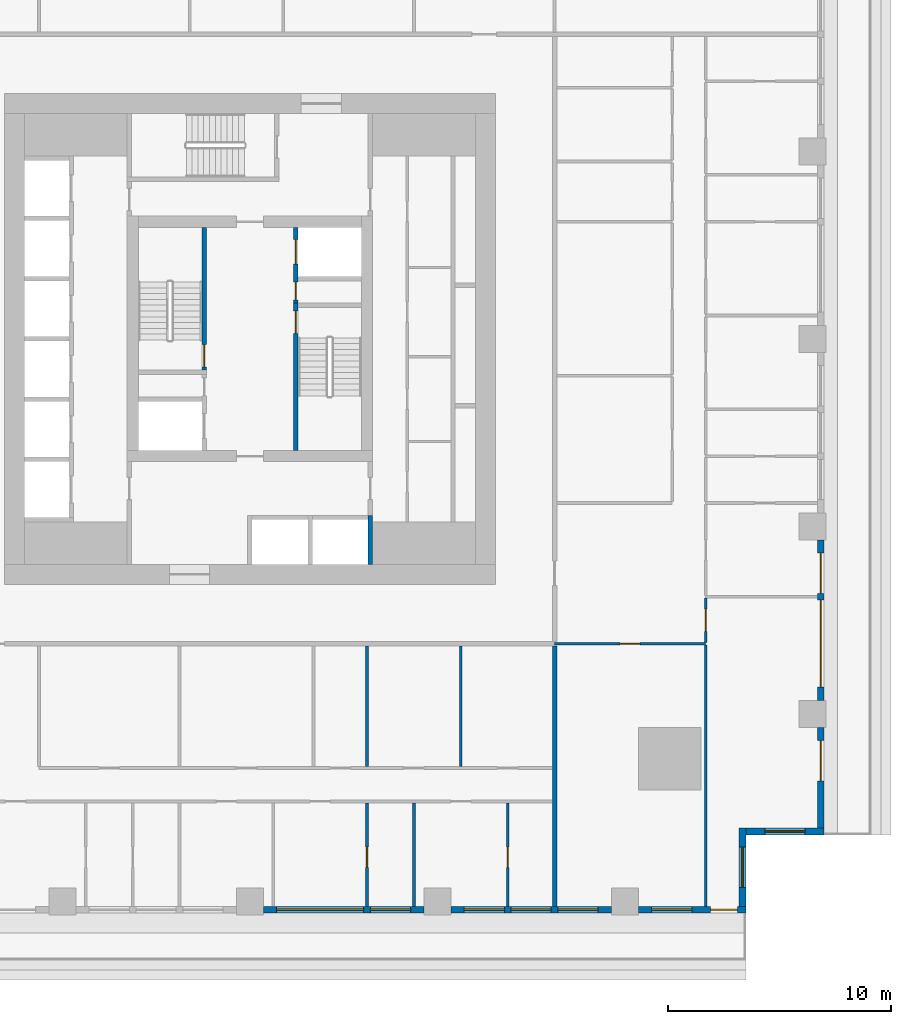
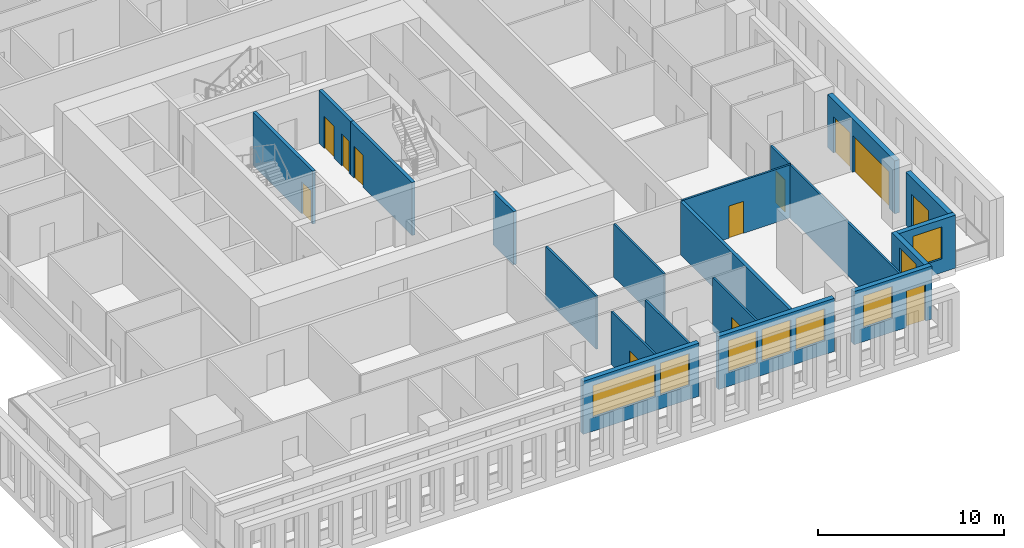
# One storey, part 4 of 14: 20 walls, 12 doors, 8 windows, 20 openings.
"""IFC4 building model written with IfcOpenShell, lengths in metres."""

from ifc_helpers import new_model, si_unit, direction, frame, frame_2d, origin, place, context, subcontext, project, spatial, rectangle, extrude, material, layer, layer_set, type_object, element, fill, save


model = new_model("IFC4")

# Units and contexts
model_context = context("Model", 3, precision=1e-05, world=origin(), true_north=direction((0.0, 1.0)))
body_context = subcontext(model_context, "Body", "Model", "MODEL_VIEW")
ifc_project = project(units=[si_unit("LENGTHUNIT", "METRE"), si_unit("AREAUNIT", "SQUARE_METRE"), si_unit("VOLUMEUNIT", "CUBIC_METRE"), si_unit("PLANEANGLEUNIT", "RADIAN"), si_unit("MASSUNIT", "GRAM", prefix="KILO")], contexts=[model_context])

# Site, building, storey
site_placement = place(None, origin())
site = spatial("IfcSite", under=ifc_project, at=site_placement, CompositionType="ELEMENT")
building_placement = place(site_placement, origin())
building = spatial("IfcBuilding", under=site, at=building_placement, Name="Khepri Terraces", CompositionType="ELEMENT")
storey_placement = place(building_placement, frame((0.0, 0.0, 110.39990234375)))
storey = spatial("IfcBuildingStorey", under=building, at=storey_placement, Name="L26", CompositionType="ELEMENT", Elevation=110.39990234375)

# Wall, opening, door
ifc_material_1 = material(Name="Concrete C70/85", Category="concrete")
ifc_layer_1 = layer(ifc_material_1, 0.199951171875, Name="Concrete C70/85", Category="concrete")
ifc_layer_set_1 = layer_set([ifc_layer_1], Name="Concrete C70/85")
wall_type_1 = type_object("IfcWallType", Name="Core wall 200 C70/85", PredefinedType="SHEAR", material=ifc_layer_set_1)
wall_1_placement = place(storey_placement, frame((2.050048828125, -5.0, 0.0), z_axis=(0.0, 0.0, 1.0), x_axis=(0.0, 1.0, 0.0)))
wall_1 = element("IfcWall", 1, at=wall_1_placement, inside=storey, type_object=wall_type_1, Name="Core wall ST01 L26", PredefinedType="SHEAR", context=body_context, shape_type="SweptSolid", body=[
    extrude(rectangle(XDim=6.60009765625, YDim=0.199951171875, at=frame_2d((3.300048828125, 0.0))), origin(), (0.0, 0.0, 1.0), 3.47998046875),
])
opening_1_placement = place(wall_1_placement, frame((5.25, 0.0, 0.0)))
opening_1 = element("IfcOpeningElement", 2, at=opening_1_placement, cuts=wall_1, Name="Opening L26-C10", PredefinedType="OPENING", context=body_context, shape_type="SweptSolid", body=[
    extrude(rectangle(XDim=1.0, YDim=2.10009765625, at=frame_2d((0.5, 1.050048828125))), frame((0.0, 0.10986328125, 0.0), z_axis=(0.0, -1.0, 0.0), x_axis=(1.0, 0.0, 0.0)), (0.0, 0.0, 1.0), 0.219970703125),
])
ifc_material_2 = material(Name="Painted steel", Category="steel")
door_type_1 = type_object("IfcDoorType", Name="DR-CORE-STAIR-1000", OperationType="NOTDEFINED", PredefinedType="DOOR", material=ifc_material_2)
door_1_placement = place(opening_1_placement, frame((1.0, 0.0, 0.0), z_axis=(0.0, 0.0, 1.0), x_axis=(-1.0, 0.0, 0.0)))
door_1 = element("IfcDoor", 3, at=door_1_placement, inside=storey, type_object=door_type_1, Name="Stair door L26-C10", OperationType="SINGLE_SWING_LEFT", OverallHeight=2.10009765625, OverallWidth=1.0, PredefinedType="DOOR", context=body_context, shape_type="SweptSolid", body=[
    extrude(rectangle(XDim=1.0, YDim=2.10009765625, at=frame_2d((0.5, 1.050048828125))), frame((0.0, 0.02490234375, 0.0), z_axis=(0.0, -1.0, 0.0), x_axis=(1.0, 0.0, 0.0)), (0.0, 0.0, 1.0), 0.050048828125),
])
fill(opening_1, door_1)

wall_2_placement = place(storey_placement, frame((-2.050048828125, -1.39990234375, 0.0), z_axis=(0.0, 0.0, 1.0), x_axis=(0.0, 1.0, 0.0)))
wall_2 = element("IfcWall", 4, at=wall_2_placement, inside=storey, type_object=wall_type_1, Name="Core wall ST03 L26", PredefinedType="SHEAR", context=body_context, shape_type="SweptSolid", body=[
    extrude(rectangle(XDim=6.39990234375, YDim=0.199951171875, at=frame_2d((3.199951171875, 0.0))), origin(), (0.0, 0.0, 1.0), 3.47998046875),
])
opening_2_placement = place(wall_2_placement, frame((0.14990234375, 0.0, 0.0)))
opening_2 = element("IfcOpeningElement", 5, at=opening_2_placement, cuts=wall_2, Name="Opening L26-C09", PredefinedType="OPENING", context=body_context, shape_type="SweptSolid", body=[
    extrude(rectangle(XDim=1.0, YDim=2.10009765625, at=frame_2d((0.5, 1.050048828125))), frame((0.0, 0.10986328125, 0.0), z_axis=(0.0, -1.0, 0.0), x_axis=(1.0, 0.0, 0.0)), (0.0, 0.0, 1.0), 0.219970703125),
])
door_2_placement = place(opening_2_placement, origin())
door_2 = element("IfcDoor", 6, at=door_2_placement, inside=storey, type_object=door_type_1, Name="Stair door L26-C09", OperationType="SINGLE_SWING_LEFT", OverallHeight=2.10009765625, OverallWidth=1.0, PredefinedType="DOOR", context=body_context, shape_type="SweptSolid", body=[
    extrude(rectangle(XDim=1.0, YDim=2.10009765625, at=frame_2d((0.5, 1.050048828125))), frame((0.0, 0.02490234375, 0.0), z_axis=(0.0, -1.0, 0.0), x_axis=(1.0, 0.0, 0.0)), (0.0, 0.0, 1.0), 0.050048828125),
])
fill(opening_2, door_2)

# Wall
wall_3_placement = place(storey_placement, frame((5.39990234375, -10.10009765625, 0.0), z_axis=(0.0, 0.0, 1.0), x_axis=(0.0, 1.0, 0.0)))
element("IfcWall", 7, at=wall_3_placement, inside=storey, type_object=wall_type_1, Name="Core wall SH03 L26", PredefinedType="SHEAR", context=body_context, shape_type="SweptSolid", body=[
    extrude(rectangle(XDim=2.2001953125, YDim=0.199951171875, at=frame_2d((1.10009765625, 0.0))), origin(), (0.0, 0.0, 1.0), 3.47998046875),
])

# Wall, openings, doors
wall_4_placement = place(storey_placement, frame((2.050048828125, 1.60009765625, 0.0), z_axis=(0.0, 0.0, 1.0), x_axis=(0.0, 1.0, 0.0)))
wall_4 = element("IfcWall", 8, at=wall_4_placement, inside=storey, type_object=wall_type_1, Name="Core wall SH15 L26", PredefinedType="SHEAR", context=body_context, shape_type="SweptSolid", body=[
    extrude(rectangle(XDim=3.39990234375, YDim=0.199951171875, at=frame_2d((1.699951171875, 0.0))), origin(), (0.0, 0.0, 1.0), 3.47998046875),
])
opening_3_placement = place(wall_4_placement, frame((1.75, 0.0, 0.0)))
opening_3 = element("IfcOpeningElement", 9, at=opening_3_placement, cuts=wall_4, Name="Opening L26-C07", PredefinedType="OPENING", context=body_context, shape_type="SweptSolid", body=[
    extrude(rectangle(XDim=1.10009765625, YDim=2.10009765625, at=frame_2d((0.550048828125, 1.050048828125))), frame((0.0, 0.10986328125, 0.0), z_axis=(0.0, -1.0, 0.0), x_axis=(1.0, 0.0, 0.0)), (0.0, 0.0, 1.0), 0.219970703125),
])
opening_4_placement = place(wall_4_placement, frame((0.14990234375, 0.0, 0.0)))
opening_4 = element("IfcOpeningElement", 10, at=opening_4_placement, cuts=wall_4, Name="Opening L26-C11", PredefinedType="OPENING", context=body_context, shape_type="SweptSolid", body=[
    extrude(rectangle(XDim=0.800048828125, YDim=2.10009765625, at=frame_2d((0.39990234375, 1.050048828125))), frame((0.0, 0.10986328125, 0.0), z_axis=(0.0, -1.0, 0.0), x_axis=(1.0, 0.0, 0.0)), (0.0, 0.0, 1.0), 0.219970703125),
])
ifc_material_3 = material(Name="Stainless steel 304", Category="steel")
door_type_2 = type_object("IfcDoorType", Name="DR-CORE-FF-LANDING-1100", OperationType="NOTDEFINED", PredefinedType="DOOR", material=ifc_material_3)
door_3_placement = place(opening_3_placement, origin())
door_3 = element("IfcDoor", 11, at=door_3_placement, inside=storey, type_object=door_type_2, Name="Firefighting lift landing door L26-C07", OperationType="SLIDING_TO_LEFT", OverallHeight=2.10009765625, OverallWidth=1.10009765625, PredefinedType="DOOR", context=body_context, shape_type="SweptSolid", body=[
    extrude(rectangle(XDim=1.10009765625, YDim=2.10009765625, at=frame_2d((0.550048828125, 1.050048828125))), frame((0.0, 0.02490234375, 0.0), z_axis=(0.0, -1.0, 0.0), x_axis=(1.0, 0.0, 0.0)), (0.0, 0.0, 1.0), 0.050048828125),
])
fill(opening_3, door_3)
door_type_3 = type_object("IfcDoorType", Name="DR-CORE-RISER-800", OperationType="NOTDEFINED", PredefinedType="DOOR", material=ifc_material_2)
door_4_placement = place(opening_4_placement, frame((0.800048828125, 0.0, 0.0), z_axis=(0.0, 0.0, 1.0), x_axis=(-1.0, 0.0, 0.0)))
door_4 = element("IfcDoor", 12, at=door_4_placement, inside=storey, type_object=door_type_3, Name="Riser door L26-C11", OperationType="SINGLE_SWING_RIGHT", OverallHeight=2.10009765625, OverallWidth=0.800048828125, PredefinedType="DOOR", context=body_context, shape_type="SweptSolid", body=[
    extrude(rectangle(XDim=0.800048828125, YDim=2.10009765625, at=frame_2d((0.39990234375, 1.050048828125))), frame((0.0, 0.02490234375, 0.0), z_axis=(0.0, -1.0, 0.0), x_axis=(1.0, 0.0, 0.0)), (0.0, 0.0, 1.0), 0.050048828125),
])
fill(opening_4, door_4)

# Wall
ifc_material_4 = material(Name="Fire-rated gypsum plasterboard partition, mineral wool")
ifc_layer_2 = layer(ifc_material_4, 0.199951171875, Name="Fire-rated gypsum plasterboard partition, mineral wool")
ifc_layer_set_2 = layer_set([ifc_layer_2], Name="Fire-rated gypsum plasterboard partition, mineral wool")
wall_type_2 = type_object("IfcWallType", Name="WL-CORR-200", PredefinedType="PARTITIONING", material=ifc_layer_set_2)
wall_5_placement = place(storey_placement, frame((13.64990234375, -25.419921875, 0.0), z_axis=(0.0, 0.0, 1.0), x_axis=(0.0, 1.0, 0.0)))
element("IfcWall", 13, at=wall_5_placement, inside=storey, type_object=wall_type_2, Name="Partition P-009 L26", PredefinedType="PARTITIONING", context=body_context, shape_type="SweptSolid", body=[
    extrude(rectangle(XDim=11.669921875, YDim=0.199951171875, at=frame_2d((5.8349609375, 0.0))), origin(), (0.0, 0.0, 1.0), 3.47998046875),
])

# Wall, opening, window
ifc_material_5 = material(Name="Precast concrete C50/60 warm stone", Category="masonry")
ifc_layer_3 = layer(ifc_material_5, 0.300048828125, Name="Precast concrete C50/60 warm stone", Category="masonry")
ifc_layer_set_3 = layer_set([ifc_layer_3], Name="Precast concrete C50/60 warm stone")
wall_type_3 = type_object("IfcWallType", Name="WL-EXT-PRECAST-300", PredefinedType="STANDARD", material=ifc_layer_set_3)
wall_6_placement = place(storey_placement, frame((22.219970703125, -22.070068359375, 0.0), z_axis=(0.0, 0.0, 1.0), x_axis=(1.0, 0.0, 0.0)))
wall_6 = element("IfcWall", 14, at=wall_6_placement, inside=storey, type_object=wall_type_3, Name="External wall L26 S", PredefinedType="STANDARD", context=body_context, shape_type="SweptSolid", body=[
    extrude(rectangle(XDim=3.5, YDim=0.300048828125, at=frame_2d((1.75, 0.0))), origin(), (0.0, 0.0, 1.0), 3.47998046875),
])
opening_5_placement = place(wall_6_placement, frame((0.85009765625, 0.0, 0.89990234375)))
opening_5 = element("IfcOpeningElement", 15, at=opening_5_placement, cuts=wall_6, Name="Opening W1", PredefinedType="OPENING", context=body_context, shape_type="SweptSolid", body=[
    extrude(rectangle(XDim=1.800048828125, YDim=2.10009765625, at=frame_2d((0.89990234375, 1.050048828125))), frame((0.0, 0.16015625, 0.0), z_axis=(0.0, -1.0, 0.0), x_axis=(1.0, 0.0, 0.0)), (0.0, 0.0, 1.0), 0.320068359375),
])
ifc_material_6 = material(Name="Clear glass", Category="glass")
window_type_1 = type_object("IfcWindowType", Name="WIN-RES-1800x2100", PartitioningType="SINGLE_PANEL", PredefinedType="WINDOW", material=ifc_material_6)
window_1_placement = place(opening_5_placement, origin())
window_1 = element("IfcWindow", 16, at=window_1_placement, inside=storey, type_object=window_type_1, Name="Window L26 S", OverallHeight=2.10009765625, OverallWidth=1.800048828125, PartitioningType="SINGLE_PANEL", PredefinedType="WINDOW", context=body_context, shape_type="SweptSolid", body=[
    extrude(rectangle(XDim=1.800048828125, YDim=2.10009765625, at=frame_2d((0.89990234375, 1.050048828125))), frame((0.0, 0.030029296875, 0.0), z_axis=(0.0, -1.0, 0.0), x_axis=(1.0, 0.0, 0.0)), (0.0, 0.0, 1.0), 0.06005859375),
])
fill(opening_5, window_1)

# Wall, opening, door
wall_7_placement = place(storey_placement, frame((25.570068359375, -21.919921875, 0.0), z_axis=(0.0, 0.0, 1.0), x_axis=(0.0, 1.0, 0.0)))
wall_7 = element("IfcWall", 17, at=wall_7_placement, inside=storey, type_object=wall_type_3, Name="External wall L26 E", PredefinedType="STANDARD", context=body_context, shape_type="SweptSolid", body=[
    extrude(rectangle(XDim=4.52001953125, YDim=0.300048828125, at=frame_2d((2.260009765625, 0.0))), origin(), (0.0, 0.0, 1.0), 3.47998046875),
])
opening_6_placement = place(wall_7_placement, frame((2.1201171875, 0.0, 0.0)))
opening_6 = element("IfcOpeningElement", 18, at=opening_6_placement, cuts=wall_7, Name="Opening ED-L26-01", PredefinedType="OPENING", context=body_context, shape_type="SweptSolid", body=[
    extrude(rectangle(XDim=1.800048828125, YDim=2.39990234375, at=frame_2d((0.89990234375, 1.199951171875))), frame((0.0, 0.16015625, 0.0), z_axis=(0.0, -1.0, 0.0), x_axis=(1.0, 0.0, 0.0)), (0.0, 0.0, 1.0), 0.320068359375),
])
ifc_material_7 = material(Name="Anodised aluminium bronze glazed door", Category="aluminium")
door_type_4 = type_object("IfcDoorType", Name="DR-BAL-SLIDE-1800x2400", OperationType="NOTDEFINED", PredefinedType="DOOR", material=ifc_material_7)
door_5_placement = place(opening_6_placement, origin())
door_5 = element("IfcDoor", 19, at=door_5_placement, inside=storey, type_object=door_type_4, Name="Balcony door L26 E", OperationType="SLIDING_TO_RIGHT", OverallHeight=2.39990234375, OverallWidth=1.800048828125, PredefinedType="DOOR", context=body_context, shape_type="SweptSolid", body=[
    extrude(rectangle(XDim=1.800048828125, YDim=2.39990234375, at=frame_2d((0.89990234375, 1.199951171875))), frame((0.0, 0.02490234375, 0.0), z_axis=(0.0, -1.0, 0.0), x_axis=(1.0, 0.0, 0.0)), (0.0, 0.0, 1.0), 0.050048828125),
])
fill(opening_6, door_5)

# Wall, openings, doors
wall_8_placement = place(storey_placement, frame((25.570068359375, -16.199951171875, 0.0), z_axis=(0.0, 0.0, 1.0), x_axis=(0.0, 1.0, 0.0)))
wall_8 = element("IfcWall", 20, at=wall_8_placement, inside=storey, type_object=wall_type_3, Name="External wall L26 E", PredefinedType="STANDARD", context=body_context, shape_type="SweptSolid", body=[
    extrude(rectangle(XDim=7.199951171875, YDim=0.300048828125, at=frame_2d((3.60009765625, 0.0))), origin(), (0.0, 0.0, 1.0), 3.47998046875),
])
opening_7_placement = place(wall_8_placement, frame((0.60009765625, 0.0, 0.0)))
opening_7 = element("IfcOpeningElement", 21, at=opening_7_placement, cuts=wall_8, Name="Opening ED-L26-02", PredefinedType="OPENING", context=body_context, shape_type="SweptSolid", body=[
    extrude(rectangle(XDim=3.89990234375, YDim=2.39990234375, at=frame_2d((1.949951171875, 1.199951171875))), frame((0.0, 0.16015625, 0.0), z_axis=(0.0, -1.0, 0.0), x_axis=(1.0, 0.0, 0.0)), (0.0, 0.0, 1.0), 0.320068359375),
])
opening_8_placement = place(wall_8_placement, frame((4.800048828125, 0.0, 0.0)))
opening_8 = element("IfcOpeningElement", 22, at=opening_8_placement, cuts=wall_8, Name="Opening ED-L26-03", PredefinedType="OPENING", context=body_context, shape_type="SweptSolid", body=[
    extrude(rectangle(XDim=1.800048828125, YDim=2.39990234375, at=frame_2d((0.89990234375, 1.199951171875))), frame((0.0, 0.16015625, 0.0), z_axis=(0.0, -1.0, 0.0), x_axis=(1.0, 0.0, 0.0)), (0.0, 0.0, 1.0), 0.320068359375),
])
door_6_placement = place(opening_8_placement, origin())
door_6 = element("IfcDoor", 23, at=door_6_placement, inside=storey, type_object=door_type_4, Name="Balcony door L26 E", OperationType="SLIDING_TO_RIGHT", OverallHeight=2.39990234375, OverallWidth=1.800048828125, PredefinedType="DOOR", context=body_context, shape_type="SweptSolid", body=[
    extrude(rectangle(XDim=1.800048828125, YDim=2.39990234375, at=frame_2d((0.89990234375, 1.199951171875))), frame((0.0, 0.02490234375, 0.0), z_axis=(0.0, -1.0, 0.0), x_axis=(1.0, 0.0, 0.0)), (0.0, 0.0, 1.0), 0.050048828125),
])
fill(opening_8, door_6)
door_type_5 = type_object("IfcDoorType", Name="DR-BAL-SLIDE-3900x2400", OperationType="NOTDEFINED", PredefinedType="DOOR", material=ifc_material_7)
door_7_placement = place(opening_7_placement, origin())
door_7 = element("IfcDoor", 24, at=door_7_placement, inside=storey, type_object=door_type_5, Name="Balcony door L26 E", OperationType="SLIDING_TO_LEFT", OverallHeight=2.39990234375, OverallWidth=3.89990234375, PredefinedType="DOOR", context=body_context, shape_type="SweptSolid", body=[
    extrude(rectangle(XDim=3.89990234375, YDim=2.39990234375, at=frame_2d((1.949951171875, 1.199951171875))), frame((0.0, 0.02490234375, 0.0), z_axis=(0.0, -1.0, 0.0), x_axis=(1.0, 0.0, 0.0)), (0.0, 0.0, 1.0), 0.050048828125),
])
fill(opening_7, door_7)

# Wall, openings, windows
wall_9_placement = place(storey_placement, frame((0.60009765625, -25.570068359375, 0.0), z_axis=(0.0, 0.0, 1.0), x_axis=(1.0, 0.0, 0.0)))
wall_9 = element("IfcWall", 25, at=wall_9_placement, inside=storey, type_object=wall_type_3, Name="External wall L26 S", PredefinedType="STANDARD", context=body_context, shape_type="SweptSolid", body=[
    extrude(rectangle(XDim=7.199951171875, YDim=0.300048828125, at=frame_2d((3.60009765625, 0.0))), origin(), (0.0, 0.0, 1.0), 3.47998046875),
])
opening_9_placement = place(wall_9_placement, frame((0.60009765625, 0.0, 0.89990234375)))
opening_9 = element("IfcOpeningElement", 26, at=opening_9_placement, cuts=wall_9, Name="Opening W2", PredefinedType="OPENING", context=body_context, shape_type="SweptSolid", body=[
    extrude(rectangle(XDim=3.89990234375, YDim=2.10009765625, at=frame_2d((1.949951171875, 1.050048828125))), frame((0.0, 0.16015625, 0.0), z_axis=(0.0, -1.0, 0.0), x_axis=(1.0, 0.0, 0.0)), (0.0, 0.0, 1.0), 0.320068359375),
])
opening_10_placement = place(wall_9_placement, frame((4.800048828125, 0.0, 0.89990234375)))
opening_10 = element("IfcOpeningElement", 27, at=opening_10_placement, cuts=wall_9, Name="Opening W1", PredefinedType="OPENING", context=body_context, shape_type="SweptSolid", body=[
    extrude(rectangle(XDim=1.800048828125, YDim=2.10009765625, at=frame_2d((0.89990234375, 1.050048828125))), frame((0.0, 0.16015625, 0.0), z_axis=(0.0, -1.0, 0.0), x_axis=(1.0, 0.0, 0.0)), (0.0, 0.0, 1.0), 0.320068359375),
])
window_2_placement = place(opening_10_placement, origin())
window_2 = element("IfcWindow", 28, at=window_2_placement, inside=storey, type_object=window_type_1, Name="Window L26 S", OverallHeight=2.10009765625, OverallWidth=1.800048828125, PartitioningType="SINGLE_PANEL", PredefinedType="WINDOW", context=body_context, shape_type="SweptSolid", body=[
    extrude(rectangle(XDim=1.800048828125, YDim=2.10009765625, at=frame_2d((0.89990234375, 1.050048828125))), frame((0.0, 0.030029296875, 0.0), z_axis=(0.0, -1.0, 0.0), x_axis=(1.0, 0.0, 0.0)), (0.0, 0.0, 1.0), 0.06005859375),
])
fill(opening_10, window_2)
window_type_2 = type_object("IfcWindowType", Name="WIN-RES-3900x2100", PartitioningType="SINGLE_PANEL", PredefinedType="WINDOW", material=ifc_material_6)
window_3_placement = place(opening_9_placement, origin())
window_3 = element("IfcWindow", 29, at=window_3_placement, inside=storey, type_object=window_type_2, Name="Window L26 S", OverallHeight=2.10009765625, OverallWidth=3.89990234375, PartitioningType="SINGLE_PANEL", PredefinedType="WINDOW", context=body_context, shape_type="SweptSolid", body=[
    extrude(rectangle(XDim=3.89990234375, YDim=2.10009765625, at=frame_2d((1.949951171875, 1.050048828125))), frame((0.0, 0.030029296875, 0.0), z_axis=(0.0, -1.0, 0.0), x_axis=(1.0, 0.0, 0.0)), (0.0, 0.0, 1.0), 0.06005859375),
])
fill(opening_9, window_3)

wall_10_placement = place(storey_placement, frame((9.0, -25.570068359375, 0.0), z_axis=(0.0, 0.0, 1.0), x_axis=(1.0, 0.0, 0.0)))
wall_10 = element("IfcWall", 30, at=wall_10_placement, inside=storey, type_object=wall_type_3, Name="External wall L26 S", PredefinedType="STANDARD", context=body_context, shape_type="SweptSolid", body=[
    extrude(rectangle(XDim=7.199951171875, YDim=0.300048828125, at=frame_2d((3.60009765625, 0.0))), origin(), (0.0, 0.0, 1.0), 3.47998046875),
])
opening_11_placement = place(wall_10_placement, frame((0.60009765625, 0.0, 0.89990234375)))
opening_11 = element("IfcOpeningElement", 31, at=opening_11_placement, cuts=wall_10, Name="Opening W1", PredefinedType="OPENING", context=body_context, shape_type="SweptSolid", body=[
    extrude(rectangle(XDim=1.800048828125, YDim=2.10009765625, at=frame_2d((0.89990234375, 1.050048828125))), frame((0.0, 0.16015625, 0.0), z_axis=(0.0, -1.0, 0.0), x_axis=(1.0, 0.0, 0.0)), (0.0, 0.0, 1.0), 0.320068359375),
])
opening_12_placement = place(wall_10_placement, frame((2.699951171875, 0.0, 0.89990234375)))
opening_12 = element("IfcOpeningElement", 32, at=opening_12_placement, cuts=wall_10, Name="Opening W1", PredefinedType="OPENING", context=body_context, shape_type="SweptSolid", body=[
    extrude(rectangle(XDim=1.800048828125, YDim=2.10009765625, at=frame_2d((0.89990234375, 1.050048828125))), frame((0.0, 0.16015625, 0.0), z_axis=(0.0, -1.0, 0.0), x_axis=(1.0, 0.0, 0.0)), (0.0, 0.0, 1.0), 0.320068359375),
])
opening_13_placement = place(wall_10_placement, frame((4.800048828125, 0.0, 0.89990234375)))
opening_13 = element("IfcOpeningElement", 33, at=opening_13_placement, cuts=wall_10, Name="Opening W1", PredefinedType="OPENING", context=body_context, shape_type="SweptSolid", body=[
    extrude(rectangle(XDim=1.800048828125, YDim=2.10009765625, at=frame_2d((0.89990234375, 1.050048828125))), frame((0.0, 0.16015625, 0.0), z_axis=(0.0, -1.0, 0.0), x_axis=(1.0, 0.0, 0.0)), (0.0, 0.0, 1.0), 0.320068359375),
])
window_4_placement = place(opening_11_placement, origin())
window_4 = element("IfcWindow", 34, at=window_4_placement, inside=storey, type_object=window_type_1, Name="Window L26 S", OverallHeight=2.10009765625, OverallWidth=1.800048828125, PartitioningType="SINGLE_PANEL", PredefinedType="WINDOW", context=body_context, shape_type="SweptSolid", body=[
    extrude(rectangle(XDim=1.800048828125, YDim=2.10009765625, at=frame_2d((0.89990234375, 1.050048828125))), frame((0.0, 0.030029296875, 0.0), z_axis=(0.0, -1.0, 0.0), x_axis=(1.0, 0.0, 0.0)), (0.0, 0.0, 1.0), 0.06005859375),
])
fill(opening_11, window_4)
window_5_placement = place(opening_12_placement, origin())
window_5 = element("IfcWindow", 35, at=window_5_placement, inside=storey, type_object=window_type_1, Name="Window L26 S", OverallHeight=2.10009765625, OverallWidth=1.800048828125, PartitioningType="SINGLE_PANEL", PredefinedType="WINDOW", context=body_context, shape_type="SweptSolid", body=[
    extrude(rectangle(XDim=1.800048828125, YDim=2.10009765625, at=frame_2d((0.89990234375, 1.050048828125))), frame((0.0, 0.030029296875, 0.0), z_axis=(0.0, -1.0, 0.0), x_axis=(1.0, 0.0, 0.0)), (0.0, 0.0, 1.0), 0.06005859375),
])
fill(opening_12, window_5)
window_6_placement = place(opening_13_placement, origin())
window_6 = element("IfcWindow", 36, at=window_6_placement, inside=storey, type_object=window_type_1, Name="Window L26 S", OverallHeight=2.10009765625, OverallWidth=1.800048828125, PartitioningType="SINGLE_PANEL", PredefinedType="WINDOW", context=body_context, shape_type="SweptSolid", body=[
    extrude(rectangle(XDim=1.800048828125, YDim=2.10009765625, at=frame_2d((0.89990234375, 1.050048828125))), frame((0.0, 0.030029296875, 0.0), z_axis=(0.0, -1.0, 0.0), x_axis=(1.0, 0.0, 0.0)), (0.0, 0.0, 1.0), 0.06005859375),
])
fill(opening_13, window_6)

# Wall, openings, door, window
wall_11_placement = place(storey_placement, frame((17.39990234375, -25.570068359375, 0.0), z_axis=(0.0, 0.0, 1.0), x_axis=(1.0, 0.0, 0.0)))
wall_11 = element("IfcWall", 37, at=wall_11_placement, inside=storey, type_object=wall_type_3, Name="External wall L26 S", PredefinedType="STANDARD", context=body_context, shape_type="SweptSolid", body=[
    extrude(rectangle(XDim=4.820068359375, YDim=0.300048828125, at=frame_2d((2.41015625, 0.0))), origin(), (0.0, 0.0, 1.0), 3.47998046875),
])
opening_14_placement = place(wall_11_placement, frame((0.60009765625, 0.0, 0.89990234375)))
opening_14 = element("IfcOpeningElement", 38, at=opening_14_placement, cuts=wall_11, Name="Opening W1", PredefinedType="OPENING", context=body_context, shape_type="SweptSolid", body=[
    extrude(rectangle(XDim=1.800048828125, YDim=2.10009765625, at=frame_2d((0.89990234375, 1.050048828125))), frame((0.0, 0.16015625, 0.0), z_axis=(0.0, -1.0, 0.0), x_axis=(1.0, 0.0, 0.0)), (0.0, 0.0, 1.0), 0.320068359375),
])
opening_15_placement = place(wall_11_placement, frame((3.2451171875, 0.0, 0.0)))
opening_15 = element("IfcOpeningElement", 39, at=opening_15_placement, cuts=wall_11, Name="Opening ED-L26-19", PredefinedType="OPENING", context=body_context, shape_type="SweptSolid", body=[
    extrude(rectangle(XDim=1.199951171875, YDim=2.39990234375, at=frame_2d((0.60009765625, 1.199951171875))), frame((0.0, 0.16015625, 0.0), z_axis=(0.0, -1.0, 0.0), x_axis=(1.0, 0.0, 0.0)), (0.0, 0.0, 1.0), 0.320068359375),
])
door_type_6 = type_object("IfcDoorType", Name="DR-BAL-SLIDE-1200x2400", OperationType="NOTDEFINED", PredefinedType="DOOR", material=ifc_material_7)
door_8_placement = place(opening_15_placement, origin())
door_8 = element("IfcDoor", 40, at=door_8_placement, inside=storey, type_object=door_type_6, Name="Balcony door L26 S", OperationType="SLIDING_TO_RIGHT", OverallHeight=2.39990234375, OverallWidth=1.199951171875, PredefinedType="DOOR", context=body_context, shape_type="SweptSolid", body=[
    extrude(rectangle(XDim=1.199951171875, YDim=2.39990234375, at=frame_2d((0.60009765625, 1.199951171875))), frame((0.0, 0.02490234375, 0.0), z_axis=(0.0, -1.0, 0.0), x_axis=(1.0, 0.0, 0.0)), (0.0, 0.0, 1.0), 0.050048828125),
])
fill(opening_15, door_8)
window_7_placement = place(opening_14_placement, origin())
window_7 = element("IfcWindow", 41, at=window_7_placement, inside=storey, type_object=window_type_1, Name="Window L26 S", OverallHeight=2.10009765625, OverallWidth=1.800048828125, PartitioningType="SINGLE_PANEL", PredefinedType="WINDOW", context=body_context, shape_type="SweptSolid", body=[
    extrude(rectangle(XDim=1.800048828125, YDim=2.10009765625, at=frame_2d((0.89990234375, 1.050048828125))), frame((0.0, 0.030029296875, 0.0), z_axis=(0.0, -1.0, 0.0), x_axis=(1.0, 0.0, 0.0)), (0.0, 0.0, 1.0), 0.06005859375),
])
fill(opening_14, window_7)

# Wall, opening, window
wall_12_placement = place(storey_placement, frame((22.070068359375, -25.419921875, 0.0), z_axis=(0.0, 0.0, 1.0), x_axis=(0.0, 1.0, 0.0)))
wall_12 = element("IfcWall", 42, at=wall_12_placement, inside=storey, type_object=wall_type_3, Name="External wall L26 E", PredefinedType="STANDARD", context=body_context, shape_type="SweptSolid", body=[
    extrude(rectangle(XDim=3.5, YDim=0.300048828125, at=frame_2d((1.75, 0.0))), origin(), (0.0, 0.0, 1.0), 3.47998046875),
])
opening_16_placement = place(wall_12_placement, frame((0.85009765625, 0.0, 0.89990234375)))
opening_16 = element("IfcOpeningElement", 43, at=opening_16_placement, cuts=wall_12, Name="Opening W1", PredefinedType="OPENING", context=body_context, shape_type="SweptSolid", body=[
    extrude(rectangle(XDim=1.800048828125, YDim=2.10009765625, at=frame_2d((0.89990234375, 1.050048828125))), frame((0.0, 0.16015625, 0.0), z_axis=(0.0, -1.0, 0.0), x_axis=(1.0, 0.0, 0.0)), (0.0, 0.0, 1.0), 0.320068359375),
])
window_8_placement = place(opening_16_placement, origin())
window_8 = element("IfcWindow", 44, at=window_8_placement, inside=storey, type_object=window_type_1, Name="Window L26 E", OverallHeight=2.10009765625, OverallWidth=1.800048828125, PartitioningType="SINGLE_PANEL", PredefinedType="WINDOW", context=body_context, shape_type="SweptSolid", body=[
    extrude(rectangle(XDim=1.800048828125, YDim=2.10009765625, at=frame_2d((0.89990234375, 1.050048828125))), frame((0.0, 0.030029296875, 0.0), z_axis=(0.0, -1.0, 0.0), x_axis=(1.0, 0.0, 0.0)), (0.0, 0.0, 1.0), 0.06005859375),
])
fill(opening_16, window_8)

# Wall, opening, door
ifc_material_8 = material(Name="Gypsum plasterboard partition")
ifc_layer_4 = layer(ifc_material_8, 0.1201171875, Name="Gypsum plasterboard partition")
ifc_layer_set_4 = layer_set([ifc_layer_4], Name="Gypsum plasterboard partition")
wall_type_4 = type_object("IfcWallType", Name="WL-PART-120", PredefinedType="PARTITIONING", material=ifc_layer_set_4)
wall_13_placement = place(storey_placement, frame((5.25, -25.419921875, 0.0), z_axis=(0.0, 0.0, 1.0), x_axis=(0.0, 1.0, 0.0)))
wall_13 = element("IfcWall", 45, at=wall_13_placement, inside=storey, type_object=wall_type_4, Name="Partition P-006 L26", PredefinedType="PARTITIONING", context=body_context, shape_type="SweptSolid", body=[
    extrude(rectangle(XDim=4.639892578125, YDim=0.1201171875, at=frame_2d((2.31982421875, 0.0))), origin(), (0.0, 0.0, 1.0), 3.47998046875),
])
opening_17_placement = place(wall_13_placement, frame((1.75, 0.0, 0.0)))
opening_17 = element("IfcOpeningElement", 46, at=opening_17_placement, cuts=wall_13, Name="Opening D4", PredefinedType="OPENING", context=body_context, shape_type="SweptSolid", body=[
    extrude(rectangle(XDim=0.89990234375, YDim=2.10009765625, at=frame_2d((0.449951171875, 1.050048828125))), frame((0.0, 0.070068359375, 0.0), z_axis=(0.0, -1.0, 0.0), x_axis=(1.0, 0.0, 0.0)), (0.0, 0.0, 1.0), 0.14013671875),
])
ifc_material_9 = material(Name="Timber door leaf, moisture resistant", Category="wood")
door_type_7 = type_object("IfcDoorType", Name="DR-WET-900", OperationType="NOTDEFINED", PredefinedType="DOOR", material=ifc_material_9)
door_9_placement = place(opening_17_placement, frame((0.89990234375, 0.0, 0.0), z_axis=(0.0, 0.0, 1.0), x_axis=(-1.0, 0.0, 0.0)))
door_9 = element("IfcDoor", 47, at=door_9_placement, inside=storey, type_object=door_type_7, Name="Door Bathroom", OperationType="SINGLE_SWING_RIGHT", OverallHeight=2.10009765625, OverallWidth=0.89990234375, PredefinedType="DOOR", context=body_context, shape_type="SweptSolid", body=[
    extrude(rectangle(XDim=0.89990234375, YDim=2.10009765625, at=frame_2d((0.449951171875, 1.050048828125))), frame((0.0, 0.02490234375, 0.0), z_axis=(0.0, -1.0, 0.0), x_axis=(1.0, 0.0, 0.0)), (0.0, 0.0, 1.0), 0.050048828125),
])
fill(opening_17, door_9)

# Wall
wall_14_placement = place(storey_placement, frame((7.35009765625, -25.419921875, 0.0), z_axis=(0.0, 0.0, 1.0), x_axis=(0.0, 1.0, 0.0)))
element("IfcWall", 48, at=wall_14_placement, inside=storey, type_object=wall_type_4, Name="Partition P-007 L26", PredefinedType="PARTITIONING", context=body_context, shape_type="SweptSolid", body=[
    extrude(rectangle(XDim=4.639892578125, YDim=0.1201171875, at=frame_2d((2.31982421875, 0.0))), origin(), (0.0, 0.0, 1.0), 3.47998046875),
])

# Wall, opening, door
wall_15_placement = place(storey_placement, frame((11.550048828125, -25.419921875, 0.0), z_axis=(0.0, 0.0, 1.0), x_axis=(0.0, 1.0, 0.0)))
wall_15 = element("IfcWall", 49, at=wall_15_placement, inside=storey, type_object=wall_type_4, Name="Partition P-008 L26", PredefinedType="PARTITIONING", context=body_context, shape_type="SweptSolid", body=[
    extrude(rectangle(XDim=4.639892578125, YDim=0.1201171875, at=frame_2d((2.31982421875, 0.0))), origin(), (0.0, 0.0, 1.0), 3.47998046875),
])
opening_18_placement = place(wall_15_placement, frame((1.75, 0.0, 0.0)))
opening_18 = element("IfcOpeningElement", 50, at=opening_18_placement, cuts=wall_15, Name="Opening D4", PredefinedType="OPENING", context=body_context, shape_type="SweptSolid", body=[
    extrude(rectangle(XDim=0.89990234375, YDim=2.10009765625, at=frame_2d((0.449951171875, 1.050048828125))), frame((0.0, 0.070068359375, 0.0), z_axis=(0.0, -1.0, 0.0), x_axis=(1.0, 0.0, 0.0)), (0.0, 0.0, 1.0), 0.14013671875),
])
door_10_placement = place(opening_18_placement, frame((0.89990234375, 0.0, 0.0), z_axis=(0.0, 0.0, 1.0), x_axis=(-1.0, 0.0, 0.0)))
door_10 = element("IfcDoor", 51, at=door_10_placement, inside=storey, type_object=door_type_7, Name="Door Bathroom", OperationType="SINGLE_SWING_RIGHT", OverallHeight=2.10009765625, OverallWidth=0.89990234375, PredefinedType="DOOR", context=body_context, shape_type="SweptSolid", body=[
    extrude(rectangle(XDim=0.89990234375, YDim=2.10009765625, at=frame_2d((0.449951171875, 1.050048828125))), frame((0.0, 0.02490234375, 0.0), z_axis=(0.0, -1.0, 0.0), x_axis=(1.0, 0.0, 0.0)), (0.0, 0.0, 1.0), 0.050048828125),
])
fill(opening_18, door_10)

# Walls
wall_16_placement = place(storey_placement, frame((20.419921875, -25.419921875, 0.0), z_axis=(0.0, 0.0, 1.0), x_axis=(0.0, 1.0, 0.0)))
element("IfcWall", 52, at=wall_16_placement, inside=storey, type_object=wall_type_4, Name="Partition P-010 L26", PredefinedType="PARTITIONING", context=body_context, shape_type="SweptSolid", body=[
    extrude(rectangle(XDim=11.7099609375, YDim=0.1201171875, at=frame_2d((5.85498046875, 0.0))), origin(), (0.0, 0.0, 1.0), 3.47998046875),
])
for number, where, z_axis, x_axis, name in (
    (53, (5.25, -19.159912109375, 0.0), (0.0, 0.0, 1.0), (0.0, 1.0, 0.0), "Partition P-017 L26"),
    (54, (9.449951171875, -19.159912109375, 0.0), (0.0, 0.0, 1.0), (0.0, 1.0, 0.0), "Partition P-018 L26"),
):
    element("IfcWall", number, at=place(storey_placement, frame(where, z_axis=z_axis, x_axis=x_axis)), inside=storey, type_object=wall_type_4, Name=name, PredefinedType="PARTITIONING", context=body_context, shape_type="SweptSolid", body=[
        extrude(rectangle(XDim=5.409912109375, YDim=0.1201171875, at=frame_2d((2.705078125, 0.0))), origin(), (0.0, 0.0, 1.0), 3.47998046875),
    ])

# Wall, opening, door
wall_17_placement = place(storey_placement, frame((13.64990234375, -13.64990234375, 0.0), z_axis=(0.0, 0.0, 1.0), x_axis=(1.0, 0.0, 0.0)))
wall_17 = element("IfcWall", 55, at=wall_17_placement, inside=storey, type_object=wall_type_4, Name="Partition P-020 L26", PredefinedType="PARTITIONING", context=body_context, shape_type="SweptSolid", body=[
    extrude(rectangle(XDim=6.77001953125, YDim=0.1201171875, at=frame_2d((3.385009765625, 0.0))), origin(), (0.0, 0.0, 1.0), 3.47998046875),
])
opening_19_placement = place(wall_17_placement, frame((2.93505859375, 0.0, 0.0)))
opening_19 = element("IfcOpeningElement", 56, at=opening_19_placement, cuts=wall_17, Name="Opening D3", PredefinedType="OPENING", context=body_context, shape_type="SweptSolid", body=[
    extrude(rectangle(XDim=0.89990234375, YDim=2.10009765625, at=frame_2d((0.449951171875, 1.050048828125))), frame((0.0, 0.070068359375, 0.0), z_axis=(0.0, -1.0, 0.0), x_axis=(1.0, 0.0, 0.0)), (0.0, 0.0, 1.0), 0.14013671875),
])
ifc_material_10 = material(Name="Timber door leaf", Category="wood")
door_type_8 = type_object("IfcDoorType", Name="DR-INT-900", OperationType="NOTDEFINED", PredefinedType="DOOR", material=ifc_material_10)
door_11_placement = place(opening_19_placement, frame((0.89990234375, 0.0, 0.0), z_axis=(0.0, 0.0, 1.0), x_axis=(-1.0, 0.0, 0.0)))
door_11 = element("IfcDoor", 57, at=door_11_placement, inside=storey, type_object=door_type_8, Name="Door Home Cinema", OperationType="SINGLE_SWING_RIGHT", OverallHeight=2.10009765625, OverallWidth=0.89990234375, PredefinedType="DOOR", context=body_context, shape_type="SweptSolid", body=[
    extrude(rectangle(XDim=0.89990234375, YDim=2.10009765625, at=frame_2d((0.449951171875, 1.050048828125))), frame((0.0, 0.02490234375, 0.0), z_axis=(0.0, -1.0, 0.0), x_axis=(1.0, 0.0, 0.0)), (0.0, 0.0, 1.0), 0.050048828125),
])
fill(opening_19, door_11)

wall_18_placement = place(storey_placement, frame((20.419921875, -13.590087890625, 0.0), z_axis=(0.0, 0.0, 1.0), x_axis=(0.0, 1.0, 0.0)))
wall_18 = element("IfcWall", 58, at=wall_18_placement, inside=storey, type_object=wall_type_4, Name="Partition P-021 L26", PredefinedType="PARTITIONING", context=body_context, shape_type="SweptSolid", body=[
    extrude(rectangle(XDim=1.97998046875, YDim=0.1201171875, at=frame_2d((0.989990234375, 0.0))), origin(), (0.0, 0.0, 1.0), 3.47998046875),
])
opening_20_placement = place(wall_18_placement, frame((0.489990234375, 0.0, 0.0)))
opening_20 = element("IfcOpeningElement", 59, at=opening_20_placement, cuts=wall_18, Name="Opening D2", PredefinedType="OPENING", context=body_context, shape_type="SweptSolid", body=[
    extrude(rectangle(XDim=1.0, YDim=2.10009765625, at=frame_2d((0.5, 1.050048828125))), frame((0.0, 0.070068359375, 0.0), z_axis=(0.0, -1.0, 0.0), x_axis=(1.0, 0.0, 0.0)), (0.0, 0.0, 1.0), 0.14013671875),
])
ifc_material_11 = material(Name="Timber door leaf, living room door", Category="wood")
door_type_9 = type_object("IfcDoorType", Name="DR-INT-1000", OperationType="NOTDEFINED", PredefinedType="DOOR", material=ifc_material_11)
door_12_placement = place(opening_20_placement, frame((1.0, 0.0, 0.0), z_axis=(0.0, 0.0, 1.0), x_axis=(-1.0, 0.0, 0.0)))
door_12 = element("IfcDoor", 60, at=door_12_placement, inside=storey, type_object=door_type_9, Name="Door Living Room", OperationType="SINGLE_SWING_RIGHT", OverallHeight=2.10009765625, OverallWidth=1.0, PredefinedType="DOOR", context=body_context, shape_type="SweptSolid", body=[
    extrude(rectangle(XDim=1.0, YDim=2.10009765625, at=frame_2d((0.5, 1.050048828125))), frame((0.0, 0.02490234375, 0.0), z_axis=(0.0, -1.0, 0.0), x_axis=(1.0, 0.0, 0.0)), (0.0, 0.0, 1.0), 0.050048828125),
])
fill(opening_20, door_12)

save(model, "model.ifc")
